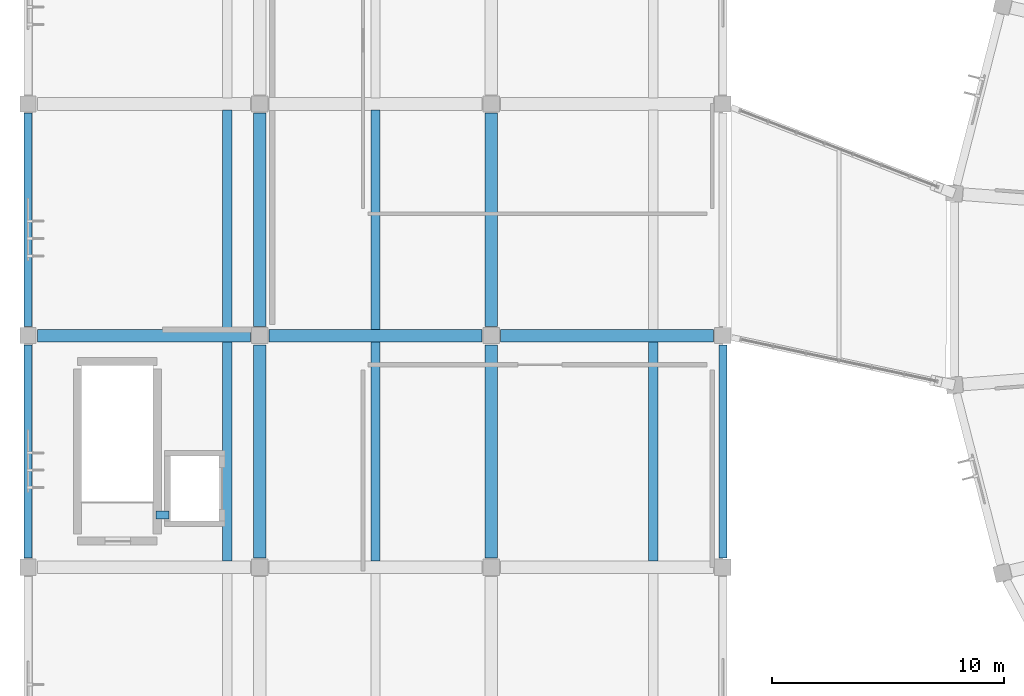
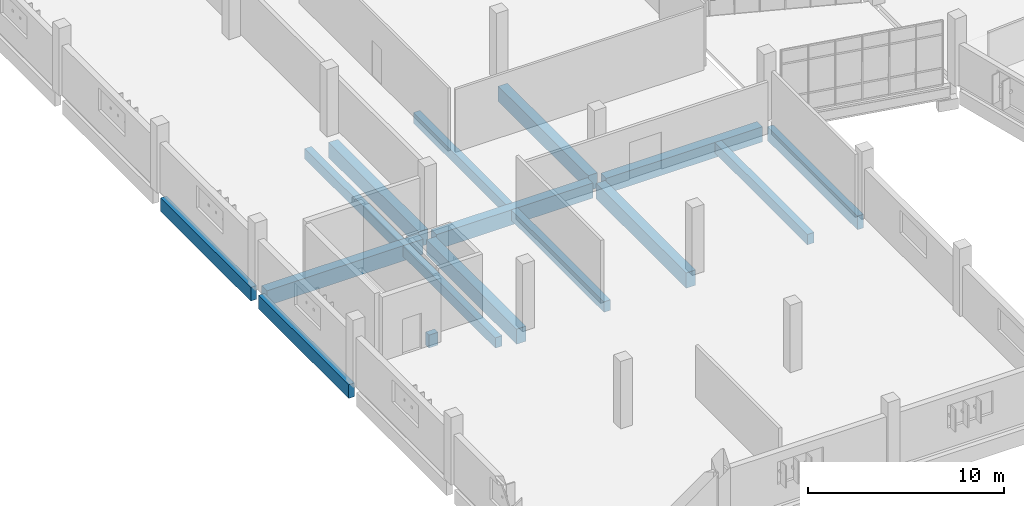
# One storey, part 5 of 142: 16 beams.
"""IFC4 building model written with IfcOpenShell, lengths in metres."""

from ifc_helpers import new_model, si_unit, direction, frame, origin, origin_2d, place, context, subcontext, project, spatial, rectangle, extrude, material, material_profile, profile_set, type_object, element, save


model = new_model("IFC4")

# Units and contexts
model_context = context("Model", 3, precision=1e-05, world=origin(), true_north=direction((0.0, 1.0)))
body_context = subcontext(model_context, "Body", "Model", "MODEL_VIEW")
ifc_project = project(units=[si_unit("LENGTHUNIT", "METRE"), si_unit("AREAUNIT", "SQUARE_METRE"), si_unit("VOLUMEUNIT", "CUBIC_METRE"), si_unit("PLANEANGLEUNIT", "RADIAN"), si_unit("MASSUNIT", "GRAM", prefix="KILO")], contexts=[model_context])

# Site, building, storey
site_placement = place(None, origin())
site = spatial("IfcSite", under=ifc_project, at=site_placement, CompositionType="ELEMENT")
building_placement = place(site_placement, origin())
building = spatial("IfcBuilding", under=site, at=building_placement, Name="Corvandel Quay Wholesale Market", CompositionType="ELEMENT")
storey_placement = place(building_placement, frame((0.0, 0.0, 10.800048828125)))
storey = spatial("IfcBuildingStorey", under=building, at=storey_placement, Name="L02", CompositionType="ELEMENT", Elevation=10.800048828125)

# Beams
ifc_material_1 = material(Name="Precast concrete C45/55", Category="concrete")
ifc_material_profile_1 = material_profile(ifc_material_1, rectangle(XDim=0.550048828125, YDim=0.949951171875, at=origin_2d()), Name="PC-GIR-550x950")
ifc_profile_set_1 = profile_set([ifc_material_profile_1], Name="Precast concrete C45/55")
beam_type_1 = type_object("IfcBeamType", Name="Cold Store Floor Girder G02 550x950", PredefinedType="USERDEFINED", material=ifc_profile_set_1)
for number, where, z_axis, x_axis, name in (
    (1, (20.39501953125, 40.0, -0.795166015625), (1.0, 0.0, 0.0), (0.0, 1.0, 0.0), "Beam BM-1158"),
    (2, (30.39501953125, 40.0, -0.795166015625), (1.0, 0.0, 0.0), (0.0, 1.0, 0.0), "Beam BM-1159"),
    (3, (40.39501953125, 40.0, -0.795166015625), (1.0, 0.0, 0.0), (0.0, 1.0, 0.0), "Beam BM-1160"),
    (4, (30.0, 30.39501953125, -0.795166015625), (0.0, 1.0, 0.0), (-1.0, 0.0, 0.0), "Beam BM-1206"),
    (5, (30.0, 40.39501953125, -0.795166015625), (0.0, 1.0, 0.0), (-1.0, 0.0, 0.0), "Beam BM-1207"),
    (6, (40.0, 30.39501953125, -0.795166015625), (0.0, 1.0, 0.0), (-1.0, 0.0, 0.0), "Beam BM-1219"),
    (7, (40.0, 40.39501953125, -0.795166015625), (0.0, 1.0, 0.0), (-1.0, 0.0, 0.0), "Beam BM-1220"),
):
    element("IfcBeam", number, at=place(storey_placement, frame(where, z_axis=z_axis, x_axis=x_axis)), inside=storey, type_object=beam_type_1, Name=name, ObjectType="GIRDER", PredefinedType="USERDEFINED", context=body_context, shape_type="SweptSolid", body=[
        extrude(rectangle(XDim=0.550048828125, YDim=0.949951171875, at=origin_2d()), origin(), (0.0, 0.0, 1.0), 9.2099609375),
    ])
ifc_material_profile_2 = material_profile(ifc_material_1, rectangle(XDim=0.39990234375, YDim=0.64990234375, at=origin_2d()), Name="PC-BM-400x650")
ifc_profile_set_2 = profile_set([ifc_material_profile_2], Name="Precast concrete C45/55")
beam_type_2 = type_object("IfcBeamType", Name="Cold Store Secondary Beam B01 400x650", PredefinedType="BEAM", material=ifc_profile_set_2)
for number, where, z_axis, x_axis, name in (
    (8, (28.60009765625, 30.264892578125, -0.64501953125), (0.0, 1.0, 0.0), (-1.0, 0.0, 0.0), "Beam BM-1245"),
    (9, (28.60009765625, 40.264892578125, -0.64501953125), (0.0, 1.0, 0.0), (-1.0, 0.0, 0.0), "Beam BM-1246"),
    (10, (35.0, 30.264892578125, -0.64501953125), (0.0, 1.0, 0.0), (-1.0, 0.0, 0.0), "Beam BM-1258"),
    (11, (35.0, 40.264892578125, -0.64501953125), (0.0, 1.0, 0.0), (-1.0, 0.0, 0.0), "Beam BM-1259"),
    (12, (47.0, 30.264892578125, -0.64501953125), (0.0, 1.0, 0.0), (-1.0, 0.0, 0.0), "Beam BM-1271"),
):
    element("IfcBeam", number, at=place(storey_placement, frame(where, z_axis=z_axis, x_axis=x_axis)), inside=storey, type_object=beam_type_2, Name=name, PredefinedType="BEAM", context=body_context, shape_type="SweptSolid", body=[
        extrude(rectangle(XDim=0.39990234375, YDim=0.64990234375, at=origin_2d()), origin(), (0.0, 0.0, 1.0), 9.47021484375),
    ])
ifc_material_2 = material(Name="Concrete C40/50", Category="concrete")
ifc_material_profile_3 = material_profile(ifc_material_2, rectangle(XDim=0.35009765625, YDim=0.800048828125, at=origin_2d()), Name="RC-CPL-350x800")
ifc_profile_set_3 = profile_set([ifc_material_profile_3], Name="Concrete C40/50")
beam_type_3 = type_object("IfcBeamType", Name="Core Shear Wall Coupling Beam CP01 350x800", PredefinedType="BEAM", material=ifc_profile_set_3)
beam_placement = place(storey_placement, frame((25.52490234375, 32.25, -0.650146484375), z_axis=(1.0, 0.0, 0.0), x_axis=(0.0, 1.0, 0.0)))
element("IfcBeam", 13, at=beam_placement, inside=storey, type_object=beam_type_3, Name="Core Coupling Beam K4-L02", PredefinedType="BEAM", context=body_context, shape_type="SweptSolid", body=[
    extrude(rectangle(XDim=0.35009765625, YDim=0.800048828125, at=origin_2d()), origin(), (0.0, 0.0, 1.0), 0.550048828125),
])
ifc_material_profile_4 = material_profile(ifc_material_1, rectangle(XDim=0.35009765625, YDim=0.85009765625, at=origin_2d()), Name="PC-SPN-350x850")
ifc_profile_set_4 = profile_set([ifc_material_profile_4], Name="Precast concrete C45/55")
beam_type_4 = type_object("IfcBeamType", Name="Perimeter Precast Spandrel SP01 350x850", PredefinedType="SPANDREL", material=ifc_profile_set_4)
for number, where, z_axis, x_axis, name in (
    (14, (20.0, 30.39501953125, -0.7451171875), (0.0, 1.0, 0.0), (-1.0, 0.0, 0.0), "Beam BM-1193"),
    (15, (20.0, 40.39501953125, -0.7451171875), (0.0, 1.0, 0.0), (-1.0, 0.0, 0.0), "Beam BM-1194"),
    (16, (50.0, 30.39501953125, -0.7451171875), (0.0, 1.0, 0.0), (-1.0, 0.0, 0.0), "Beam BM-1232"),
):
    element("IfcBeam", number, at=place(storey_placement, frame(where, z_axis=z_axis, x_axis=x_axis)), inside=storey, type_object=beam_type_4, Name=name, PredefinedType="SPANDREL", context=body_context, shape_type="SweptSolid", body=[
        extrude(rectangle(XDim=0.35009765625, YDim=0.85009765625, at=origin_2d()), origin(), (0.0, 0.0, 1.0), 9.2099609375),
    ])

save(model, "model.ifc")
